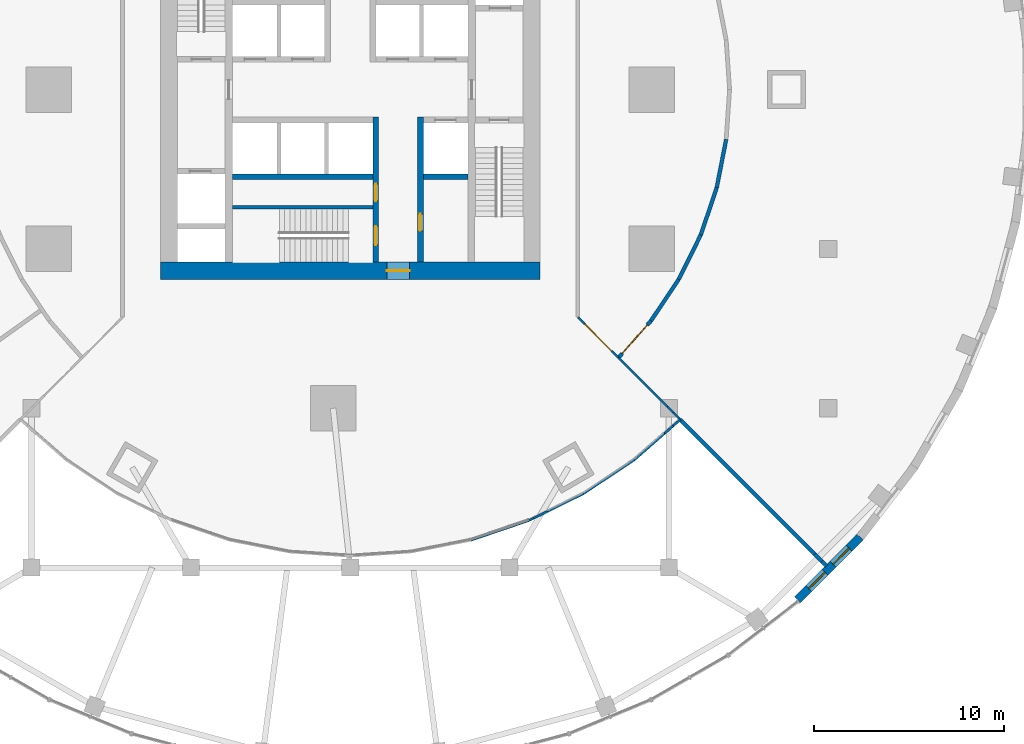
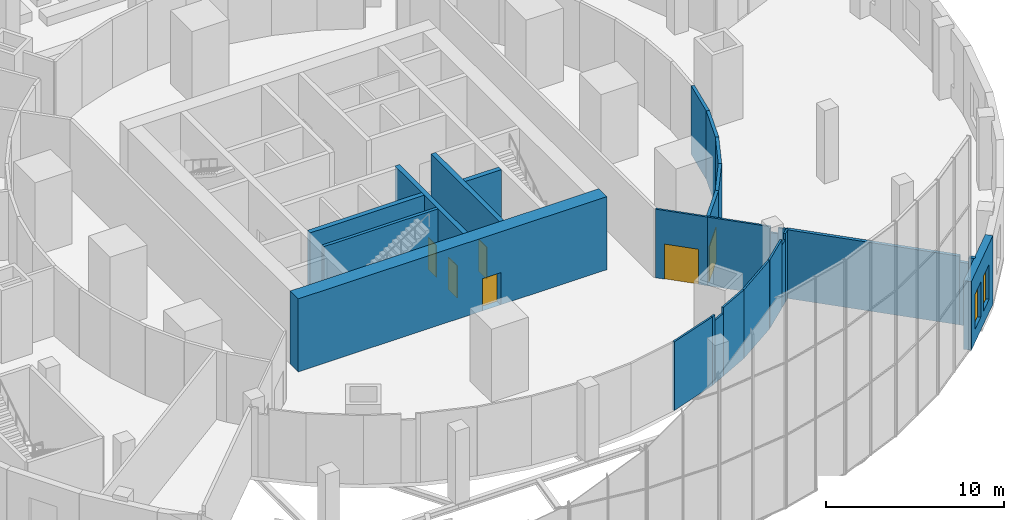
# One storey, part 8 of 17: 27 walls, 6 doors, 2 windows, 8 openings.
"""IFC4 building model written with IfcOpenShell, lengths in metres."""

from ifc_helpers import new_model, si_unit, direction, frame, frame_2d, origin, place, context, subcontext, project, spatial, rectangle, extrude, material, layer, layer_set, type_object, element, fill, save


model = new_model("IFC4")

# Units and contexts
model_context = context("Model", 3, precision=1e-05, world=origin(), true_north=direction((0.0, 1.0)))
body_context = subcontext(model_context, "Body", "Model", "MODEL_VIEW")
ifc_project = project(units=[si_unit("LENGTHUNIT", "METRE"), si_unit("AREAUNIT", "SQUARE_METRE"), si_unit("VOLUMEUNIT", "CUBIC_METRE"), si_unit("PLANEANGLEUNIT", "RADIAN"), si_unit("MASSUNIT", "GRAM", prefix="KILO")], contexts=[model_context])

# Site, building, storey
site_placement = place(None, origin())
site = spatial("IfcSite", under=ifc_project, at=site_placement, CompositionType="ELEMENT")
building_placement = place(site_placement, origin())
building = spatial("IfcBuilding", under=site, at=building_placement, Name="Golbaran Civic Tower", CompositionType="ELEMENT")
storey_placement = place(building_placement, frame((0.0, 0.0, 6.0)))
storey = spatial("IfcBuildingStorey", under=building, at=storey_placement, Name="L01", CompositionType="ELEMENT", Elevation=6.0)

# Wall, opening, door
ifc_material_1 = material(Name="Concrete C50/60", Category="concrete")
ifc_layer_1 = layer(ifc_material_1, 0.89990234375, Name="Concrete C50/60")
ifc_layer_set_1 = layer_set([ifc_layer_1], Name="Concrete C50/60")
wall_type_1 = type_object("IfcWallType", Name="CORE WALL CONCRETE 900", PredefinedType="SOLIDWALL", material=ifc_layer_set_1)
wall_1_placement = place(storey_placement, frame((10.0, -9.550048828125, 0.0), z_axis=(0.0, 0.0, 1.0), x_axis=(-1.0, 0.0, 0.0)))
wall_1 = element("IfcWall", 1, at=wall_1_placement, inside=storey, type_object=wall_type_1, Name="Core wall CS L01", PredefinedType="SOLIDWALL", context=body_context, shape_type="SweptSolid", body=[
    extrude(rectangle(XDim=20.0, YDim=0.89990234375, at=frame_2d((10.0, 0.0))), origin(), (0.0, 0.0, 1.0), 5.0),
])
opening_1_placement = place(wall_1_placement, frame((6.875, 0.0, 0.0)))
opening_1 = element("IfcOpeningElement", 2, at=opening_1_placement, cuts=wall_1, Name="Opening L01.CS", PredefinedType="OPENING", context=body_context, shape_type="SweptSolid", body=[
    extrude(rectangle(XDim=1.199951171875, YDim=2.199951171875, at=frame_2d((0.60009765625, 1.10009765625))), frame((0.0, 0.4599609375, 0.0), z_axis=(0.0, -1.0, 0.0), x_axis=(1.0, 0.0, 0.0)), (0.0, 0.0, 1.0), 0.919921875),
])
ifc_material_2 = material(Name="Timber door set in steel frame", Category="steel")
door_type_1 = type_object("IfcDoorType", Name="CORE DOOR 1200x2200", OperationType="DOUBLE_DOOR_SINGLE_SWING", PredefinedType="DOOR", material=ifc_material_2)
door_1_placement = place(opening_1_placement, origin())
door_1 = element("IfcDoor", 3, at=door_1_placement, inside=storey, type_object=door_type_1, Name="Core door south", OperationType="DOUBLE_DOOR_SINGLE_SWING", OverallHeight=2.199951171875, OverallWidth=1.199951171875, PredefinedType="DOOR", context=body_context, shape_type="SweptSolid", body=[
    extrude(rectangle(XDim=1.199951171875, YDim=2.199951171875, at=frame_2d((0.60009765625, 1.10009765625))), frame((0.0, 0.02490234375, 0.0), z_axis=(0.0, -1.0, 0.0), x_axis=(1.0, 0.0, 0.0)), (0.0, 0.0, 1.0), 0.050048828125),
])
fill(opening_1, door_1)

# Walls
ifc_material_3 = material(Name="Glazed screen on steel framing", Category="steel")
ifc_layer_2 = layer(ifc_material_3, 0.1201171875, Name="Glazed screen on steel framing")
ifc_layer_set_2 = layer_set([ifc_layer_2], Name="Glazed screen on steel framing")
wall_type_2 = type_object("IfcWallType", Name="GLAZED SCREEN PARTITION 120", PredefinedType="PARTITIONING", material=ifc_layer_set_2)
wall_2_placement = place(storey_placement, frame((6.360107421875, -23.760009765625, 0.0), z_axis=(0.0, 0.0, 1.0), x_axis=(0.946800830057, 0.321820117773, 0.0)))
element("IfcWall", 4, at=wall_2_placement, inside=storey, type_object=wall_type_2, Name="Podium partition L01", PredefinedType="PARTITIONING", context=body_context, shape_type="SweptSolid", body=[
    extrude(rectangle(XDim=3.231689453125, YDim=0.1201171875, at=frame_2d((1.61572265625, 0.0))), origin(), (0.0, 0.0, 1.0), 4.699951171875),
])
wall_3_placement = place(storey_placement, frame((10.408447265625, -22.232666015625, 0.0), z_axis=(0.0, 0.0, 1.0), x_axis=(0.896913641042, 0.442205744551, 0.0)))
element("IfcWall", 5, at=wall_3_placement, inside=storey, type_object=wall_type_2, Name="Podium partition L01", PredefinedType="PARTITIONING", context=body_context, shape_type="SweptSolid", body=[
    extrude(rectangle(XDim=2.109130859375, YDim=0.1201171875, at=frame_2d((1.0546875, 0.0))), origin(), (0.0, 0.0, 1.0), 4.699951171875),
])
wall_4_placement = place(storey_placement, frame((9.65771484375, -22.602783203125, 0.0), z_axis=(0.0, 0.0, 1.0), x_axis=(0.896921584296, 0.442189633103, 0.0)))
element("IfcWall", 6, at=wall_4_placement, inside=storey, type_object=wall_type_2, Name="Podium partition L01 under the beam over", PredefinedType="PARTITIONING", context=body_context, shape_type="SweptSolid", body=[
    extrude(rectangle(XDim=0.8369140625, YDim=0.1201171875, at=frame_2d((0.41845703125, 0.0))), origin(), (0.0, 0.0, 1.0), 4.300048828125),
])
wall_5_placement = place(storey_placement, frame((9.419921875, -22.719970703125, 0.0), z_axis=(0.0, 0.0, 1.0), x_axis=(0.896990941369, 0.442048923878, 0.0)))
element("IfcWall", 7, at=wall_5_placement, inside=storey, type_object=wall_type_2, Name="Podium partition L01 under the beam over", PredefinedType="PARTITIONING", context=body_context, shape_type="SweptSolid", body=[
    extrude(rectangle(XDim=0.26513671875, YDim=0.1201171875, at=frame_2d((0.132568359375, 0.0))), origin(), (0.0, 0.0, 1.0), 4.699951171875),
])

# Wall, opening, door
wall_6_placement = place(storey_placement, frame((12.0, -12.0, 0.0), z_axis=(0.0, 0.0, 1.0), x_axis=(0.707106781187, -0.707106781187, 0.0)))
wall_6 = element("IfcWall", 8, at=wall_6_placement, inside=storey, type_object=wall_type_2, Name="Podium partition L01", PredefinedType="PARTITIONING", context=body_context, shape_type="SweptSolid", body=[
    extrude(rectangle(XDim=3.0263671875, YDim=0.1201171875, at=frame_2d((1.51318359375, 0.0))), origin(), (0.0, 0.0, 1.0), 4.699951171875),
])
opening_2_placement = place(wall_6_placement, frame((0.51318359375, 0.0, 0.0)))
opening_2 = element("IfcOpeningElement", 9, at=opening_2_placement, cuts=wall_6, Name="Opening L01.06", PredefinedType="OPENING", context=body_context, shape_type="SweptSolid", body=[
    extrude(rectangle(XDim=2.0, YDim=2.39990234375, at=frame_2d((1.0, 1.199951171875))), frame((0.0, 0.070068359375, 0.0), z_axis=(0.0, -1.0, 0.0), x_axis=(1.0, 0.0, 0.0)), (0.0, 0.0, 1.0), 0.14013671875),
])
door_type_2 = type_object("IfcDoorType", Name="PUBLIC DOUBLE DOOR 2000x2400", OperationType="DOUBLE_DOOR_SINGLE_SWING", PredefinedType="DOOR", material=ifc_material_2)
door_2_placement = place(opening_2_placement, origin())
door_2 = element("IfcDoor", 10, at=door_2_placement, inside=storey, type_object=door_type_2, Name="Secure Zone Entry door", OperationType="DOUBLE_DOOR_SINGLE_SWING", OverallHeight=2.39990234375, OverallWidth=2.0, PredefinedType="DOOR", context=body_context, shape_type="SweptSolid", body=[
    extrude(rectangle(XDim=2.0, YDim=2.39990234375, at=frame_2d((1.0, 1.199951171875))), frame((0.0, 0.02490234375, 0.0), z_axis=(0.0, -1.0, 0.0), x_axis=(1.0, 0.0, 0.0)), (0.0, 0.0, 1.0), 0.050048828125),
])
fill(opening_2, door_2)

# Walls
wall_7_placement = place(storey_placement, frame((12.300048828125, -21.300048828125, 0.0), z_axis=(0.0, 0.0, 1.0), x_axis=(0.832994734858, 0.553280915719, 0.0)))
element("IfcWall", 11, at=wall_7_placement, inside=storey, type_object=wall_type_2, Name="Podium partition L01", PredefinedType="PARTITIONING", context=body_context, shape_type="SweptSolid", body=[
    extrude(rectangle(XDim=3.21728515625, YDim=0.1201171875, at=frame_2d((1.608642578125, 0.0))), origin(), (0.0, 0.0, 1.0), 4.699951171875),
])
wall_8_placement = place(storey_placement, frame((14.139892578125, -14.139892578125, 0.0), z_axis=(0.0, 0.0, 1.0), x_axis=(0.707106781187, -0.707106781187, 0.0)))
element("IfcWall", 12, at=wall_8_placement, inside=storey, type_object=wall_type_2, Name="Podium partition L01", PredefinedType="PARTITIONING", context=body_context, shape_type="SweptSolid", body=[
    extrude(rectangle(XDim=3.648681640625, YDim=0.1201171875, at=frame_2d((1.82421875, 0.0))), origin(), (0.0, 0.0, 1.0), 4.699951171875),
])
wall_9_placement = place(storey_placement, frame((17.030029296875, -17.030029296875, 0.0), z_axis=(0.0, 0.0, 1.0), x_axis=(0.707106781187, -0.707106781187, 0.0)))
element("IfcWall", 13, at=wall_9_placement, inside=storey, type_object=wall_type_2, Name="Podium partition L01 under the beam over", PredefinedType="PARTITIONING", context=body_context, shape_type="SweptSolid", body=[
    extrude(rectangle(XDim=0.523193359375, YDim=0.1201171875, at=frame_2d((0.26171875, 0.0))), origin(), (0.0, 0.0, 1.0), 4.699951171875),
])
wall_10_placement = place(storey_placement, frame((16.719970703125, -16.719970703125, 0.0), z_axis=(0.0, 0.0, 1.0), x_axis=(0.707106781187, -0.707106781187, 0.0)))
element("IfcWall", 14, at=wall_10_placement, inside=storey, type_object=wall_type_2, Name="Podium partition L01 under the beam over", PredefinedType="PARTITIONING", context=body_context, shape_type="SweptSolid", body=[
    extrude(rectangle(XDim=0.4384765625, YDim=0.1201171875, at=frame_2d((0.21923828125, 0.0))), origin(), (0.0, 0.0, 1.0), 4.300048828125),
])
wall_11_placement = place(storey_placement, frame((14.97998046875, -19.52001953125, 0.0), z_axis=(0.0, 0.0, 1.0), x_axis=(0.752226011438, 0.658905173538, 0.0)))
element("IfcWall", 15, at=wall_11_placement, inside=storey, type_object=wall_type_2, Name="Podium partition L01", PredefinedType="PARTITIONING", context=body_context, shape_type="SweptSolid", body=[
    extrude(rectangle(XDim=2.11376953125, YDim=0.1201171875, at=frame_2d((1.056884765625, 0.0))), origin(), (0.0, 0.0, 1.0), 4.699951171875),
])
wall_12_placement = place(storey_placement, frame((16.570068359375, -18.127197265625, 0.0), z_axis=(0.0, 0.0, 1.0), x_axis=(0.752081905539, 0.65906965289, 0.0)))
element("IfcWall", 16, at=wall_12_placement, inside=storey, type_object=wall_type_2, Name="Podium partition L01 under the beam over", PredefinedType="PARTITIONING", context=body_context, shape_type="SweptSolid", body=[
    extrude(rectangle(XDim=0.611572265625, YDim=0.1201171875, at=frame_2d((0.3056640625, 0.0))), origin(), (0.0, 0.0, 1.0), 4.300048828125),
])
wall_13_placement = place(storey_placement, frame((17.030029296875, -17.72412109375, 0.0), z_axis=(0.0, 0.0, 1.0), x_axis=(0.751992181934, 0.659172024824, 0.0)))
element("IfcWall", 17, at=wall_13_placement, inside=storey, type_object=wall_type_2, Name="Podium partition L01 under the beam over", PredefinedType="PARTITIONING", context=body_context, shape_type="SweptSolid", body=[
    extrude(rectangle(XDim=0.491943359375, YDim=0.1201171875, at=frame_2d((0.24609375, 0.0))), origin(), (0.0, 0.0, 1.0), 4.699951171875),
])

# Wall, opening, door
ifc_material_4 = material(Name="Concrete block, plastered", Category="concrete")
ifc_layer_3 = layer(ifc_material_4, 0.199951171875, Name="Concrete block, plastered")
ifc_layer_set_3 = layer_set([ifc_layer_3], Name="Concrete block, plastered")
wall_type_3 = type_object("IfcWallType", Name="PODIUM PARTITION 200", PredefinedType="PARTITIONING", material=ifc_layer_set_3)
wall_14_placement = place(storey_placement, frame((14.139892578125, -14.139892578125, 0.0), z_axis=(0.0, 0.0, 1.0), x_axis=(0.659643857667, 0.751578326618, 0.0)))
wall_14 = element("IfcWall", 18, at=wall_14_placement, inside=storey, type_object=wall_type_3, Name="Podium partition L01", PredefinedType="PARTITIONING", context=body_context, shape_type="SweptSolid", body=[
    extrude(rectangle(XDim=2.60791015625, YDim=0.199951171875, at=frame_2d((1.303955078125, 0.0))), origin(), (0.0, 0.0, 1.0), 4.699951171875),
])
opening_3_placement = place(wall_14_placement, frame((0.303955078125, 0.0, 0.0)))
opening_3 = element("IfcOpeningElement", 19, at=opening_3_placement, cuts=wall_14, Name="Opening L01.08", PredefinedType="OPENING", context=body_context, shape_type="SweptSolid", body=[
    extrude(rectangle(XDim=2.0, YDim=2.39990234375, at=frame_2d((1.0, 1.199951171875))), frame((0.0, 0.10986328125, 0.0), z_axis=(0.0, -1.0, 0.0), x_axis=(1.0, 0.0, 0.0)), (0.0, 0.0, 1.0), 0.219970703125),
])
door_3_placement = place(opening_3_placement, origin())
door_3 = element("IfcDoor", 20, at=door_3_placement, inside=storey, type_object=door_type_2, Name="Secure Zone Office door", OperationType="DOUBLE_DOOR_SINGLE_SWING", OverallHeight=2.39990234375, OverallWidth=2.0, PredefinedType="DOOR", context=body_context, shape_type="SweptSolid", body=[
    extrude(rectangle(XDim=2.0, YDim=2.39990234375, at=frame_2d((1.0, 1.199951171875))), frame((0.0, 0.02490234375, 0.0), z_axis=(0.0, -1.0, 0.0), x_axis=(1.0, 0.0, 0.0)), (0.0, 0.0, 1.0), 0.050048828125),
])
fill(opening_3, door_3)

# Walls
wall_15_placement = place(storey_placement, frame((15.860107421875, -12.179931640625, 0.0), z_axis=(0.0, 0.0, 1.0), x_axis=(0.556459812229, 0.83087452565, 0.0)))
element("IfcWall", 21, at=wall_15_placement, inside=storey, type_object=wall_type_3, Name="Podium partition L01", PredefinedType="PARTITIONING", context=body_context, shape_type="SweptSolid", body=[
    extrude(rectangle(XDim=2.623779296875, YDim=0.199951171875, at=frame_2d((1.31201171875, 0.0))), origin(), (0.0, 0.0, 1.0), 4.699951171875),
])
wall_16_placement = place(storey_placement, frame((17.320068359375, -10.0, 0.0), z_axis=(0.0, 0.0, 1.0), x_axis=(0.444107479291, 0.895973519049, 0.0)))
element("IfcWall", 22, at=wall_16_placement, inside=storey, type_object=wall_type_3, Name="Podium partition L01", PredefinedType="PARTITIONING", context=body_context, shape_type="SweptSolid", body=[
    extrude(rectangle(XDim=2.61181640625, YDim=0.199951171875, at=frame_2d((1.305908203125, 0.0))), origin(), (0.0, 0.0, 1.0), 4.699951171875),
])
wall_17_placement = place(storey_placement, frame((17.39990234375, -17.39990234375, 0.0), z_axis=(0.0, 0.0, 1.0), x_axis=(0.707106781187, -0.707106781187, 0.0)))
element("IfcWall", 23, at=wall_17_placement, inside=storey, type_object=wall_type_3, Name="Podium partition L01", PredefinedType="PARTITIONING", context=body_context, shape_type="SweptSolid", body=[
    extrude(rectangle(XDim=10.021728515625, YDim=0.199951171875, at=frame_2d((5.0107421875, 0.0))), origin(), (0.0, 0.0, 1.0), 4.699951171875),
])
wall_18_placement = place(storey_placement, frame((24.486328125, -24.486328125, 0.0), z_axis=(0.0, 0.0, 1.0), x_axis=(0.707106781187, -0.707106781187, 0.0)))
element("IfcWall", 24, at=wall_18_placement, inside=storey, type_object=wall_type_3, Name="Podium partition L01 under the beam over", PredefinedType="PARTITIONING", context=body_context, shape_type="SweptSolid", body=[
    extrude(rectangle(XDim=0.5400390625, YDim=0.199951171875, at=frame_2d((0.27001953125, 0.0))), origin(), (0.0, 0.0, 1.0), 4.300048828125),
])
wall_19_placement = place(storey_placement, frame((24.8681640625, -24.8681640625, 0.0), z_axis=(0.0, 0.0, 1.0), x_axis=(0.707106781187, -0.707106781187, 0.0)))
element("IfcWall", 25, at=wall_19_placement, inside=storey, type_object=wall_type_3, Name="Podium partition L01 under the beam over", PredefinedType="PARTITIONING", context=body_context, shape_type="SweptSolid", body=[
    extrude(rectangle(XDim=0.356201171875, YDim=0.199951171875, at=frame_2d((0.17822265625, 0.0))), origin(), (0.0, 0.0, 1.0), 4.699951171875),
])
wall_20_placement = place(storey_placement, frame((18.47998046875, -7.659912109375, 0.0), z_axis=(0.0, 0.0, 1.0), x_axis=(0.320839411875, 0.947133608203, 0.0)))
element("IfcWall", 26, at=wall_20_placement, inside=storey, type_object=wall_type_3, Name="Podium partition L01", PredefinedType="PARTITIONING", context=body_context, shape_type="SweptSolid", body=[
    extrude(rectangle(XDim=2.618408203125, YDim=0.199951171875, at=frame_2d((1.30908203125, 0.0))), origin(), (0.0, 0.0, 1.0), 4.699951171875),
])
wall_21_placement = place(storey_placement, frame((19.320068359375, -5.179931640625, 0.0), z_axis=(0.0, 0.0, 1.0), x_axis=(0.191703896297, 0.981452808924, 0.0)))
element("IfcWall", 27, at=wall_21_placement, inside=storey, type_object=wall_type_3, Name="Podium partition L01", PredefinedType="PARTITIONING", context=body_context, shape_type="SweptSolid", body=[
    extrude(rectangle(XDim=2.608154296875, YDim=0.199951171875, at=frame_2d((1.30419921875, 0.0))), origin(), (0.0, 0.0, 1.0), 4.699951171875),
])
ifc_layer_4 = layer(ifc_material_1, 0.199951171875, Name="Concrete C50/60")
ifc_layer_set_4 = layer_set([ifc_layer_4], Name="Concrete C50/60")
wall_type_4 = type_object("IfcWallType", Name="SHAFT WALL CONCRETE 200", PredefinedType="SOLIDWALL", material=ifc_layer_set_4)
wall_22_placement = place(storey_placement, frame((-6.199951171875, -6.199951171875, 0.0), z_axis=(0.0, 0.0, 1.0), x_axis=(1.0, 0.0, 0.0)))
element("IfcWall", 28, at=wall_22_placement, inside=storey, type_object=wall_type_4, Name="Core wall S3N L01", PredefinedType="SOLIDWALL", context=body_context, shape_type="SweptSolid", body=[
    extrude(rectangle(XDim=7.39990234375, YDim=0.199951171875, at=frame_2d((3.699951171875, 0.0))), origin(), (0.0, 0.0, 1.0), 5.0),
])
ifc_layer_5 = layer(ifc_material_1, 0.300048828125, Name="Concrete C50/60")
ifc_layer_set_5 = layer_set([ifc_layer_5], Name="Concrete C50/60")
wall_type_5 = type_object("IfcWallType", Name="SHAFT WALL CONCRETE 300", PredefinedType="SOLIDWALL", material=ifc_layer_set_5)
wall_23_placement = place(storey_placement, frame((-6.199951171875, -4.60009765625, 0.0), z_axis=(0.0, 0.0, 1.0), x_axis=(1.0, 0.0, 0.0)))
element("IfcWall", 29, at=wall_23_placement, inside=storey, type_object=wall_type_5, Name="Core wall BSW L01", PredefinedType="SOLIDWALL", context=body_context, shape_type="SweptSolid", body=[
    extrude(rectangle(XDim=7.39990234375, YDim=0.300048828125, at=frame_2d((3.699951171875, 0.0))), origin(), (0.0, 0.0, 1.0), 5.0),
])
wall_24_placement = place(storey_placement, frame((3.85009765625, -4.60009765625, 0.0), z_axis=(0.0, 0.0, 1.0), x_axis=(1.0, 0.0, 0.0)))
element("IfcWall", 30, at=wall_24_placement, inside=storey, type_object=wall_type_5, Name="Core wall BSE L01", PredefinedType="SOLIDWALL", context=body_context, shape_type="SweptSolid", body=[
    extrude(rectangle(XDim=2.349853515625, YDim=0.300048828125, at=frame_2d((1.1748046875, 0.0))), origin(), (0.0, 0.0, 1.0), 5.0),
])

# Wall, openings, doors
wall_25_placement = place(storey_placement, frame((1.35009765625, -1.449951171875, 0.0), z_axis=(0.0, 0.0, 1.0), x_axis=(0.0, -1.0, 0.0)))
wall_25 = element("IfcWall", 31, at=wall_25_placement, inside=storey, type_object=wall_type_5, Name="Core wall PSW L01", PredefinedType="SOLIDWALL", context=body_context, shape_type="SweptSolid", body=[
    extrude(rectangle(XDim=7.650146484375, YDim=0.300048828125, at=frame_2d((3.8251953125, 0.0))), origin(), (0.0, 0.0, 1.0), 5.0),
])
opening_4_placement = place(wall_25_placement, frame((5.75, 0.0, 0.0)))
opening_4 = element("IfcOpeningElement", 32, at=opening_4_placement, cuts=wall_25, Name="Opening L01.S3", PredefinedType="OPENING", context=body_context, shape_type="SweptSolid", body=[
    extrude(rectangle(XDim=1.0, YDim=2.199951171875, at=frame_2d((0.5, 1.10009765625))), frame((0.0, 0.159912109375, 0.0), z_axis=(0.0, -1.0, 0.0), x_axis=(1.0, 0.0, 0.0)), (0.0, 0.0, 1.0), 0.320068359375),
])
opening_5_placement = place(wall_25_placement, frame((3.52490234375, 0.0, 0.0)))
opening_5 = element("IfcOpeningElement", 33, at=opening_5_placement, cuts=wall_25, Name="Opening L01.RE", PredefinedType="OPENING", context=body_context, shape_type="SweptSolid", body=[
    extrude(rectangle(XDim=0.89990234375, YDim=2.199951171875, at=frame_2d((0.449951171875, 1.10009765625))), frame((0.0, 0.159912109375, 0.0), z_axis=(0.0, -1.0, 0.0), x_axis=(1.0, 0.0, 0.0)), (0.0, 0.0, 1.0), 0.320068359375),
])
door_type_3 = type_object("IfcDoorType", Name="RISER DOOR 900x2200", OperationType="SINGLE_SWING_LEFT", PredefinedType="DOOR", material=ifc_material_2)
door_4_placement = place(opening_5_placement, origin())
door_4 = element("IfcDoor", 34, at=door_4_placement, inside=storey, type_object=door_type_3, Name="Electrical riser door", OperationType="SINGLE_SWING_RIGHT", OverallHeight=2.199951171875, OverallWidth=0.89990234375, PredefinedType="DOOR", context=body_context, shape_type="SweptSolid", body=[
    extrude(rectangle(XDim=0.89990234375, YDim=2.199951171875, at=frame_2d((0.449951171875, 1.10009765625))), frame((0.0, 0.02490234375, 0.0), z_axis=(0.0, -1.0, 0.0), x_axis=(1.0, 0.0, 0.0)), (0.0, 0.0, 1.0), 0.050048828125),
])
fill(opening_5, door_4)
door_type_4 = type_object("IfcDoorType", Name="STAIR DOOR 1000x2200", OperationType="SINGLE_SWING_LEFT", PredefinedType="DOOR", material=ifc_material_2)
door_5_placement = place(opening_4_placement, origin())
door_5 = element("IfcDoor", 35, at=door_5_placement, inside=storey, type_object=door_type_4, Name="Stair S3 door", OperationType="SINGLE_SWING_RIGHT", OverallHeight=2.199951171875, OverallWidth=1.0, PredefinedType="DOOR", context=body_context, shape_type="SweptSolid", body=[
    extrude(rectangle(XDim=1.0, YDim=2.199951171875, at=frame_2d((0.5, 1.10009765625))), frame((0.0, 0.02490234375, 0.0), z_axis=(0.0, -1.0, 0.0), x_axis=(1.0, 0.0, 0.0)), (0.0, 0.0, 1.0), 0.050048828125),
])
fill(opening_4, door_5)

# Wall, opening, door
wall_26_placement = place(storey_placement, frame((3.699951171875, -1.449951171875, 0.0), z_axis=(0.0, 0.0, 1.0), x_axis=(0.0, -1.0, 0.0)))
wall_26 = element("IfcWall", 36, at=wall_26_placement, inside=storey, type_object=wall_type_5, Name="Core wall PSE L01", PredefinedType="SOLIDWALL", context=body_context, shape_type="SweptSolid", body=[
    extrude(rectangle(XDim=7.650146484375, YDim=0.300048828125, at=frame_2d((3.8251953125, 0.0))), origin(), (0.0, 0.0, 1.0), 5.0),
])
opening_6_placement = place(wall_26_placement, frame((5.10009765625, 0.0, 0.0)))
opening_6 = element("IfcOpeningElement", 37, at=opening_6_placement, cuts=wall_26, Name="Opening L01.RM", PredefinedType="OPENING", context=body_context, shape_type="SweptSolid", body=[
    extrude(rectangle(XDim=0.89990234375, YDim=2.199951171875, at=frame_2d((0.449951171875, 1.10009765625))), frame((0.0, 0.159912109375, 0.0), z_axis=(0.0, -1.0, 0.0), x_axis=(1.0, 0.0, 0.0)), (0.0, 0.0, 1.0), 0.320068359375),
])
door_6_placement = place(opening_6_placement, origin())
door_6 = element("IfcDoor", 38, at=door_6_placement, inside=storey, type_object=door_type_3, Name="Mechanical riser door", OperationType="SINGLE_SWING_RIGHT", OverallHeight=2.199951171875, OverallWidth=0.89990234375, PredefinedType="DOOR", context=body_context, shape_type="SweptSolid", body=[
    extrude(rectangle(XDim=0.89990234375, YDim=2.199951171875, at=frame_2d((0.449951171875, 1.10009765625))), frame((0.0, 0.02490234375, 0.0), z_axis=(0.0, -1.0, 0.0), x_axis=(1.0, 0.0, 0.0)), (0.0, 0.0, 1.0), 0.050048828125),
])
fill(opening_6, door_6)

# Wall, openings, windows
ifc_material_5 = material(Name="Terracotta brick", Category="masonry")
ifc_layer_6 = layer(ifc_material_5, 0.449951171875, Name="Terracotta brick")
ifc_layer_set_6 = layer_set([ifc_layer_6], Name="Terracotta brick")
wall_type_6 = type_object("IfcWallType", Name="TERRACOTTA BRICK FACADE WALL 450", PredefinedType="SOLIDWALL", material=ifc_layer_set_6)
wall_27_placement = place(storey_placement, frame((23.588134765625, -26.89697265625, 0.0), z_axis=(0.0, 0.0, 1.0), x_axis=(0.707106781187, 0.707106781187, 0.0)))
wall_27 = element("IfcWall", 39, at=wall_27_placement, inside=storey, type_object=wall_type_6, Name="Podium wall L01 facet 42", PredefinedType="SOLIDWALL", context=body_context, shape_type="SweptSolid", body=[
    extrude(rectangle(XDim=4.679443359375, YDim=0.449951171875, at=frame_2d((2.33984375, 0.0))), origin(), (0.0, 0.0, 1.0), 4.699951171875),
])
opening_7_placement = place(wall_27_placement, frame((0.840087890625, 0.0, 0.89990234375)))
opening_7 = element("IfcOpeningElement", 40, at=opening_7_placement, cuts=wall_27, Name="Opening L01.W38", PredefinedType="OPENING", context=body_context, shape_type="SweptSolid", body=[
    extrude(rectangle(XDim=1.199951171875, YDim=2.39990234375, at=frame_2d((0.60009765625, 1.199951171875))), frame((0.0, 0.23486328125, 0.0), z_axis=(0.0, -1.0, 0.0), x_axis=(1.0, 0.0, 0.0)), (0.0, 0.0, 1.0), 0.469970703125),
])
opening_8_placement = place(wall_27_placement, frame((2.639892578125, 0.0, 0.89990234375)))
opening_8 = element("IfcOpeningElement", 41, at=opening_8_placement, cuts=wall_27, Name="Opening L01.W39", PredefinedType="OPENING", context=body_context, shape_type="SweptSolid", body=[
    extrude(rectangle(XDim=1.199951171875, YDim=2.39990234375, at=frame_2d((0.60009765625, 1.199951171875))), frame((0.0, 0.23486328125, 0.0), z_axis=(0.0, -1.0, 0.0), x_axis=(1.0, 0.0, 0.0)), (0.0, 0.0, 1.0), 0.469970703125),
])
ifc_material_6 = material(Name="Aluminium frame, clear glass", Category="aluminium")
window_type = type_object("IfcWindowType", Name="PODIUM PAIRED WINDOW 1200x2400", PartitioningType="SINGLE_PANEL", PredefinedType="WINDOW", material=ifc_material_6)
window_1_placement = place(opening_7_placement, origin())
window_1 = element("IfcWindow", 42, at=window_1_placement, inside=storey, type_object=window_type, Name="Podium window L01 facet 42a", OverallHeight=2.39990234375, OverallWidth=1.199951171875, PartitioningType="SINGLE_PANEL", PredefinedType="WINDOW", context=body_context, shape_type="SweptSolid", body=[
    extrude(rectangle(XDim=1.199951171875, YDim=2.39990234375, at=frame_2d((0.60009765625, 1.199951171875))), frame((0.0, 0.030029296875, 0.0), z_axis=(0.0, -1.0, 0.0), x_axis=(1.0, 0.0, 0.0)), (0.0, 0.0, 1.0), 0.06005859375),
])
fill(opening_7, window_1)
window_2_placement = place(opening_8_placement, origin())
window_2 = element("IfcWindow", 43, at=window_2_placement, inside=storey, type_object=window_type, Name="Podium window L01 facet 42b", OverallHeight=2.39990234375, OverallWidth=1.199951171875, PartitioningType="SINGLE_PANEL", PredefinedType="WINDOW", context=body_context, shape_type="SweptSolid", body=[
    extrude(rectangle(XDim=1.199951171875, YDim=2.39990234375, at=frame_2d((0.60009765625, 1.199951171875))), frame((0.0, 0.030029296875, 0.0), z_axis=(0.0, -1.0, 0.0), x_axis=(1.0, 0.0, 0.0)), (0.0, 0.0, 1.0), 0.06005859375),
])
fill(opening_8, window_2)

save(model, "model.ifc")
